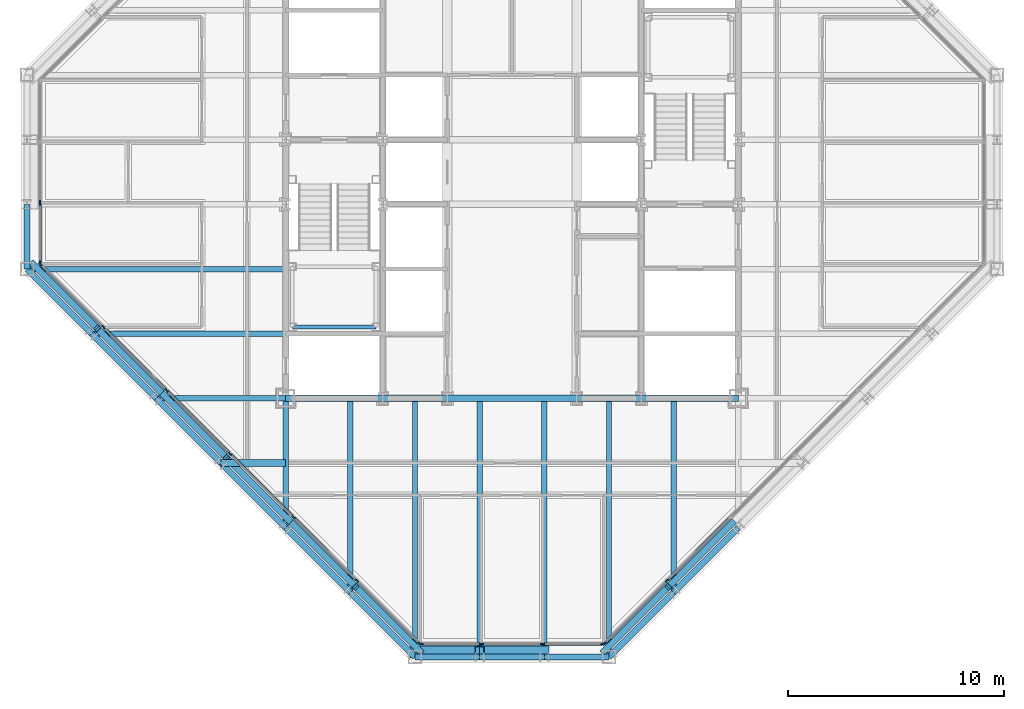
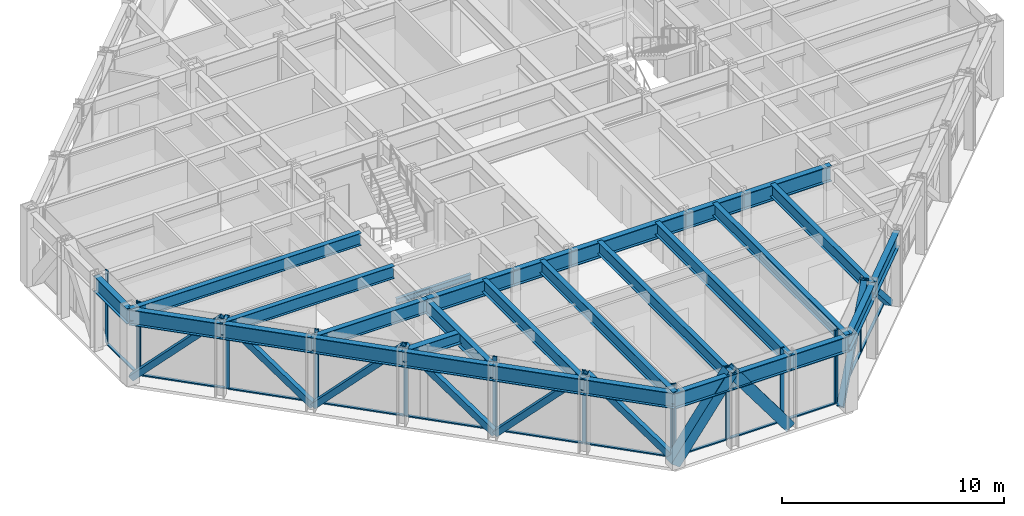
# One storey, part 5 of 15: 37 members, 29 beams, 4 elements without a shape of their own.
"""IFC4 building model written with IfcOpenShell, lengths in metres."""

from ifc_helpers import new_model, si_unit, direction, frame, origin, origin_2d, place, context, subcontext, project, spatial, rectangle, hollow_rectangle, i_section, extrude, material, layer, layer_set, material_profile, profile_set, type_object, element, aggregate, save


model = new_model("IFC4")

# Units and contexts
model_context = context("Model", 3, precision=1e-05, world=origin(), true_north=direction((0.0, 1.0)))
body_context = subcontext(model_context, "Body", "Model", "MODEL_VIEW")
ifc_project = project(units=[si_unit("LENGTHUNIT", "METRE"), si_unit("AREAUNIT", "SQUARE_METRE"), si_unit("VOLUMEUNIT", "CUBIC_METRE"), si_unit("PLANEANGLEUNIT", "RADIAN"), si_unit("MASSUNIT", "GRAM", prefix="KILO")], contexts=[model_context])

# Site, building, storey
site_placement = place(None, origin())
site = spatial("IfcSite", under=ifc_project, at=site_placement, CompositionType="ELEMENT")
building_placement = place(site_placement, origin())
building = spatial("IfcBuilding", under=site, at=building_placement, Name="Chuquiago Exchange Tower", CompositionType="ELEMENT")
storey_placement = place(building_placement, frame((0.0, 0.0, 262.199951171875)))
storey = spatial("IfcBuildingStorey", under=building, at=storey_placement, Name="L58", CompositionType="ELEMENT", Elevation=262.199951171875)

# Beams
ifc_material_1 = material(Name="Steel ASTM A992", Category="steel")
ifc_material_profile_1 = material_profile(ifc_material_1, i_section(OverallWidth=0.25390625, OverallDepth=0.683349609375, WebThickness=0.012451171875, FlangeThickness=0.018798828125, at=origin_2d()), Name="W27X94")
ifc_profile_set_1 = profile_set([ifc_material_profile_1], Name="Steel ASTM A992")
beam_type_1 = type_object("IfcBeamType", Name="B1 W27X94", PredefinedType="BEAM", material=ifc_profile_set_1)
beam_1_placement = place(storey_placement, frame((15.0, 12.0, 3.698486328125), z_axis=(0.0, -1.0, 0.0), x_axis=(1.0, 0.0, 0.0)))
element("IfcBeam", 1, at=beam_1_placement, inside=storey, type_object=beam_type_1, Name="FB-L59-infill-15_12-15_3-0", PredefinedType="BEAM", context=body_context, shape_type="SweptSolid", body=[
    extrude(i_section(OverallWidth=0.25390625, OverallDepth=0.683349609375, WebThickness=0.012451171875, FlangeThickness=0.018798828125, at=origin_2d()), origin(), (0.0, 0.0, 1.0), 9.0),
])
for number, where, z_axis, x_axis, name in (
    (2, (18.0, 12.0, 3.698486328125), (0.0, -1.0, 0.0), (1.0, 0.0, 0.0), "FB-L59-infill-18_12-18_-0-0"),
    (3, (21.0, 12.0, 3.698486328125), (0.0, -1.0, 0.0), (1.0, 0.0, 0.0), "FB-L59-infill-21_12-21_-0-0"),
    (4, (24.0, 12.0, 3.698486328125), (0.0, -1.0, 0.0), (1.0, 0.0, 0.0), "FB-L59-infill-24_12-24_-0-0"),
    (5, (27.0, 12.0, 3.698486328125), (0.0, -1.0, 0.0), (1.0, 0.0, 0.0), "FB-L59-infill-27_12-27_-0-0"),
):
    element("IfcBeam", number, at=place(storey_placement, frame(where, z_axis=z_axis, x_axis=x_axis)), inside=storey, type_object=beam_type_1, Name=name, PredefinedType="BEAM", context=body_context, shape_type="SweptSolid", body=[
        extrude(i_section(OverallWidth=0.25390625, OverallDepth=0.683349609375, WebThickness=0.012451171875, FlangeThickness=0.018798828125, at=origin_2d()), origin(), (0.0, 0.0, 1.0), 12.0),
    ])
for number, where, z_axis, x_axis, name in (
    (6, (30.0, 12.0, 3.698486328125), (0.0, -1.0, 0.0), (1.0, 0.0, 0.0), "FB-L59-infill-30_12-30_3-0"),
    (7, (12.0, 15.0, 3.698486328125), (-1.0, 0.0, 0.0), (0.0, -1.0, 0.0), "FB-L59-infill-12_15-3_15-0"),
):
    element("IfcBeam", number, at=place(storey_placement, frame(where, z_axis=z_axis, x_axis=x_axis)), inside=storey, type_object=beam_type_1, Name=name, PredefinedType="BEAM", context=body_context, shape_type="SweptSolid", body=[
        extrude(i_section(OverallWidth=0.25390625, OverallDepth=0.683349609375, WebThickness=0.012451171875, FlangeThickness=0.018798828125, at=origin_2d()), origin(), (0.0, 0.0, 1.0), 9.0),
    ])
beam_2_placement = place(storey_placement, frame((12.0, 18.0, 3.698486328125), z_axis=(-1.0, 0.0, 0.0), x_axis=(0.0, -1.0, 0.0)))
element("IfcBeam", 8, at=beam_2_placement, inside=storey, type_object=beam_type_1, Name="FB-L59-infill-12_18--0_18-0", PredefinedType="BEAM", context=body_context, shape_type="SweptSolid", body=[
    extrude(i_section(OverallWidth=0.25390625, OverallDepth=0.683349609375, WebThickness=0.012451171875, FlangeThickness=0.018798828125, at=origin_2d()), origin(), (0.0, 0.0, 1.0), 12.0),
])
ifc_material_2 = material(Name="Steel ASTM A992", Category="steel")
ifc_material_profile_2 = material_profile(ifc_material_2, i_section(OverallWidth=0.3251953125, OverallDepth=0.612060546875, WebThickness=0.0126953125, FlangeThickness=0.01904296875, at=origin_2d()), Name="W24X104")
ifc_profile_set_2 = profile_set([ifc_material_profile_2], Name="Steel ASTM A992")
beam_type_2 = type_object("IfcBeamType", Name="B2 W24X104", PredefinedType="BEAM", material=ifc_profile_set_2)
beam_3_placement = place(storey_placement, frame((12.0, 9.0, 3.73388671875), z_axis=(-1.0, 0.0, 0.0), x_axis=(0.0, -1.0, 0.0)))
element("IfcBeam", 9, at=beam_3_placement, inside=storey, type_object=beam_type_2, Name="FB-L59-corner-12_9-9_9-0", PredefinedType="BEAM", context=body_context, shape_type="SweptSolid", body=[
    extrude(i_section(OverallWidth=0.3251953125, OverallDepth=0.612060546875, WebThickness=0.0126953125, FlangeThickness=0.01904296875, at=origin_2d()), origin(), (0.0, 0.0, 1.0), 3.0),
])
ifc_material_3 = material(Name="Steel ASTM A992", Category="steel")
ifc_material_profile_3 = material_profile(ifc_material_3, i_section(OverallWidth=0.2919921875, OverallDepth=0.8583984375, WebThickness=0.01708984375, FlangeThickness=0.031005859375, at=origin_2d()), Name="W33X169")
ifc_profile_set_3 = profile_set([ifc_material_profile_3], Name="Steel ASTM A992")
beam_type_3 = type_object("IfcBeamType", Name="B3 W33X169", PredefinedType="BEAM", material=ifc_profile_set_3)
beam_4_placement = place(storey_placement, frame((12.0, 12.0, 3.61083984375), z_axis=(1.0, 0.0, 0.0), x_axis=(0.0, 1.0, 0.0)))
element("IfcBeam", 10, at=beam_4_placement, inside=storey, type_object=beam_type_3, Name="CB-L59-12_12-16.5_12", PredefinedType="BEAM", context=body_context, shape_type="SweptSolid", body=[
    extrude(i_section(OverallWidth=0.2919921875, OverallDepth=0.8583984375, WebThickness=0.01708984375, FlangeThickness=0.031005859375, at=origin_2d()), origin(), (0.0, 0.0, 1.0), 4.5),
])
beam_5_placement = place(storey_placement, frame((16.5, 12.0, 3.61083984375), z_axis=(1.0, 0.0, 0.0), x_axis=(0.0, 1.0, 0.0)))
element("IfcBeam", 11, at=beam_5_placement, inside=storey, type_object=beam_type_3, Name="CB-L59-16.5_12-19.5_12", PredefinedType="BEAM", context=body_context, shape_type="SweptSolid", body=[
    extrude(i_section(OverallWidth=0.2919921875, OverallDepth=0.8583984375, WebThickness=0.01708984375, FlangeThickness=0.031005859375, at=origin_2d()), origin(), (0.0, 0.0, 1.0), 3.0),
])
beam_6_placement = place(storey_placement, frame((19.5, 12.0, 3.61083984375), z_axis=(1.0, 0.0, 0.0), x_axis=(0.0, 1.0, 0.0)))
element("IfcBeam", 12, at=beam_6_placement, inside=storey, type_object=beam_type_3, Name="CB-L59-19.5_12-25.5_12", PredefinedType="BEAM", context=body_context, shape_type="SweptSolid", body=[
    extrude(i_section(OverallWidth=0.2919921875, OverallDepth=0.8583984375, WebThickness=0.01708984375, FlangeThickness=0.031005859375, at=origin_2d()), origin(), (0.0, 0.0, 1.0), 6.0),
])
beam_7_placement = place(storey_placement, frame((25.5, 12.0, 3.61083984375), z_axis=(1.0, 0.0, 0.0), x_axis=(0.0, 1.0, 0.0)))
element("IfcBeam", 13, at=beam_7_placement, inside=storey, type_object=beam_type_3, Name="CB-L59-25.5_12-28.5_12", PredefinedType="BEAM", context=body_context, shape_type="SweptSolid", body=[
    extrude(i_section(OverallWidth=0.2919921875, OverallDepth=0.8583984375, WebThickness=0.01708984375, FlangeThickness=0.031005859375, at=origin_2d()), origin(), (0.0, 0.0, 1.0), 3.0),
])
beam_8_placement = place(storey_placement, frame((28.5, 12.0, 3.61083984375), z_axis=(1.0, 0.0, 0.0), x_axis=(0.0, 1.0, 0.0)))
element("IfcBeam", 14, at=beam_8_placement, inside=storey, type_object=beam_type_3, Name="CB-L59-28.5_12-33_12", PredefinedType="BEAM", context=body_context, shape_type="SweptSolid", body=[
    extrude(i_section(OverallWidth=0.2919921875, OverallDepth=0.8583984375, WebThickness=0.01708984375, FlangeThickness=0.031005859375, at=origin_2d()), origin(), (0.0, 0.0, 1.0), 4.5),
])

# Curtain wall, members
ifc_material_4 = material(Name="Aluminium curtain wall system", Category="aluminium")
ifc_layer_1 = layer(ifc_material_4, 0.22509765625)
ifc_layer_set_1 = layer_set([ifc_layer_1], Name="CW2 office curtain wall")
curtain_wall_type_1 = type_object("IfcCurtainWallType", Name="CW2 office curtain wall", PredefinedType="NOTDEFINED", material=ifc_layer_set_1)
curtain_wall_1_placement = place(storey_placement, origin())
curtain_wall_1 = element("IfcCurtainWall", 15, at=curtain_wall_1_placement, inside=storey, type_object=curtain_wall_type_1, Name="CW2 curtain wall L58", PredefinedType="NOTDEFINED")
ifc_material_5 = material(Name="Aluminium mullion, pale anodised", Category="aluminium")
ifc_material_profile_4 = material_profile(ifc_material_5, rectangle(XDim=0.06494140625, YDim=0.22509765625, at=origin_2d()), Name="AL 65x225")
ifc_profile_set_4 = profile_set([ifc_material_profile_4], Name="Aluminium mullion, pale anodised")
member_type_1 = type_object("IfcMemberType", Name="CW2-M mullion 65x225", PredefinedType="MULLION", material=ifc_profile_set_4)
member_1_placement = place(storey_placement, frame((18.281005859375, 0.60009765625, 0.0), z_axis=(0.0, 0.0, 1.0), x_axis=(0.0, 1.0, 0.0)))
member_1 = element("IfcMember", 16, at=member_1_placement, type_object=member_type_1, Name="CW2 mullion 1", PredefinedType="MULLION", context=body_context, shape_type="SweptSolid", body=[
    extrude(rectangle(XDim=0.06494140625, YDim=0.22509765625, at=origin_2d()), origin(), (0.0, 0.0, 1.0), 4.0400390625),
])
member_2_placement = place(storey_placement, frame((21.082763671875, 0.60009765625, 0.0), z_axis=(0.0, 0.0, 1.0), x_axis=(0.0, 1.0, 0.0)))
member_2 = element("IfcMember", 17, at=member_2_placement, type_object=member_type_1, Name="CW2 mullion 2", PredefinedType="MULLION", context=body_context, shape_type="SweptSolid", body=[
    extrude(rectangle(XDim=0.06494140625, YDim=0.22509765625, at=origin_2d()), origin(), (0.0, 0.0, 1.0), 4.0400390625),
])
member_3_placement = place(storey_placement, frame((23.917236328125, 0.60009765625, 0.0), z_axis=(0.0, 0.0, 1.0), x_axis=(0.0, 1.0, 0.0)))
member_3 = element("IfcMember", 18, at=member_3_placement, type_object=member_type_1, Name="CW2 mullion 3", PredefinedType="MULLION", context=body_context, shape_type="SweptSolid", body=[
    extrude(rectangle(XDim=0.06494140625, YDim=0.22509765625, at=origin_2d()), origin(), (0.0, 0.0, 1.0), 4.0400390625),
])
member_4_placement = place(storey_placement, frame((26.718994140625, 0.60009765625, 0.0), z_axis=(0.0, 0.0, 1.0), x_axis=(0.0, 1.0, 0.0)))
member_4 = element("IfcMember", 19, at=member_4_placement, type_object=member_type_1, Name="CW2 mullion 4", PredefinedType="MULLION", context=body_context, shape_type="SweptSolid", body=[
    extrude(rectangle(XDim=0.06494140625, YDim=0.22509765625, at=origin_2d()), origin(), (0.0, 0.0, 1.0), 4.0400390625),
])

curtain_wall_2_placement = place(storey_placement, origin())
curtain_wall_2 = element("IfcCurtainWall", 20, at=curtain_wall_2_placement, inside=storey, type_object=curtain_wall_type_1, Name="CW2 curtain wall L58", PredefinedType="NOTDEFINED")
member_5_placement = place(storey_placement, frame((0.60009765625, 21.082763671875, 0.0), z_axis=(0.0, 0.0, 1.0), x_axis=(1.0, 0.0, 0.0)))
member_5 = element("IfcMember", 21, at=member_5_placement, type_object=member_type_1, Name="CW2 mullion 3", PredefinedType="MULLION", context=body_context, shape_type="SweptSolid", body=[
    extrude(rectangle(XDim=0.06494140625, YDim=0.22509765625, at=origin_2d()), origin(), (0.0, 0.0, 1.0), 4.0400390625),
])
member_6_placement = place(storey_placement, frame((0.60009765625, 18.281005859375, 0.0), z_axis=(0.0, 0.0, 1.0), x_axis=(1.0, 0.0, 0.0)))
member_6 = element("IfcMember", 22, at=member_6_placement, type_object=member_type_1, Name="CW2 mullion 4", PredefinedType="MULLION", context=body_context, shape_type="SweptSolid", body=[
    extrude(rectangle(XDim=0.06494140625, YDim=0.22509765625, at=origin_2d()), origin(), (0.0, 0.0, 1.0), 4.0400390625),
])

# Member
ifc_material_6 = material(Name="Aluminium transom, pale anodised", Category="aluminium")
ifc_material_profile_5 = material_profile(ifc_material_6, rectangle(XDim=0.139892578125, YDim=0.06494140625, at=origin_2d()), Name="AL 140x65")
ifc_profile_set_5 = profile_set([ifc_material_profile_5], Name="Aluminium transom, pale anodised")
member_type_2 = type_object("IfcMemberType", Name="CW2-T transom 65x140", PredefinedType="MULLION", material=ifc_profile_set_5)
member_7_placement = place(storey_placement, frame((18.3134765625, 0.60009765625, 0.032470703125), z_axis=(1.0, 0.0, 0.0), x_axis=(0.0, 1.0, 0.0)))
member_7 = element("IfcMember", 23, at=member_7_placement, type_object=member_type_2, Name="CW2 transom 1.1", PredefinedType="MULLION", context=body_context, shape_type="SweptSolid", body=[
    extrude(rectangle(XDim=0.139892578125, YDim=0.06494140625, at=origin_2d()), origin(), (0.0, 0.0, 1.0), 2.73681640625),
])

member_8_placement = place(storey_placement, frame((21.115234375, 0.60009765625, 0.032470703125), z_axis=(1.0, 0.0, 0.0), x_axis=(0.0, 1.0, 0.0)))
member_8 = element("IfcMember", 24, at=member_8_placement, type_object=member_type_2, Name="CW2 transom 2.1", PredefinedType="MULLION", context=body_context, shape_type="SweptSolid", body=[
    extrude(rectangle(XDim=0.139892578125, YDim=0.06494140625, at=origin_2d()), origin(), (0.0, 0.0, 1.0), 2.76953125),
])

member_9_placement = place(storey_placement, frame((23.94970703125, 0.60009765625, 0.032470703125), z_axis=(1.0, 0.0, 0.0), x_axis=(0.0, 1.0, 0.0)))
member_9 = element("IfcMember", 25, at=member_9_placement, type_object=member_type_2, Name="CW2 transom 3.1", PredefinedType="MULLION", context=body_context, shape_type="SweptSolid", body=[
    extrude(rectangle(XDim=0.139892578125, YDim=0.06494140625, at=origin_2d()), origin(), (0.0, 0.0, 1.0), 2.73681640625),
])

aggregate(curtain_wall_1, [member_1, member_2, member_3, member_4, member_7, member_8, member_9])

member_10_placement = place(storey_placement, frame((0.60009765625, 21.05029296875, 0.032470703125), z_axis=(0.0, -1.0, 0.0), x_axis=(1.0, 0.0, 0.0)))
member_10 = element("IfcMember", 26, at=member_10_placement, type_object=member_type_2, Name="CW2 transom 3.1", PredefinedType="MULLION", context=body_context, shape_type="SweptSolid", body=[
    extrude(rectangle(XDim=0.139892578125, YDim=0.06494140625, at=origin_2d()), origin(), (0.0, 0.0, 1.0), 2.73681640625),
])

aggregate(curtain_wall_2, [member_5, member_6, member_10])

# Curtain wall, members
ifc_material_7 = material(Name="Aluminium curtain wall system", Category="aluminium")
ifc_layer_2 = layer(ifc_material_7, 0.199951171875)
ifc_layer_set_2 = layer_set([ifc_layer_2], Name="CW3 facet curtain wall")
curtain_wall_type_2 = type_object("IfcCurtainWallType", Name="CW3 facet curtain wall", PredefinedType="NOTDEFINED", material=ifc_layer_set_2)
curtain_wall_3_placement = place(storey_placement, origin())
curtain_wall_3 = element("IfcCurtainWall", 27, at=curtain_wall_3_placement, inside=storey, type_object=curtain_wall_type_2, Name="CW3 curtain wall L58", PredefinedType="NOTDEFINED")
ifc_material_8 = material(Name="Aluminium mullion, pale anodised", Category="aluminium")
ifc_material_profile_6 = material_profile(ifc_material_8, rectangle(XDim=0.06494140625, YDim=0.199951171875, at=origin_2d()), Name="AL 65x200")
ifc_profile_set_6 = profile_set([ifc_material_profile_6], Name="Aluminium mullion, pale anodised")
member_type_3 = type_object("IfcMemberType", Name="CW3-M mullion 65x200", PredefinedType="MULLION", material=ifc_profile_set_6)
member_11_placement = place(storey_placement, frame((26.7744140625, 0.623046875, 0.0), z_axis=(0.0, 0.0, 1.0), x_axis=(-0.707106781187, 0.707106781187, 0.0)))
member_11 = element("IfcMember", 28, at=member_11_placement, type_object=member_type_3, Name="CW3 mullion 1", PredefinedType="MULLION", context=body_context, shape_type="SweptSolid", body=[
    extrude(rectangle(XDim=0.06494140625, YDim=0.199951171875, at=origin_2d()), origin(), (0.0, 0.0, 1.0), 4.0400390625),
])
member_12_placement = place(storey_placement, frame((29.69287109375, 3.54150390625, 0.0), z_axis=(0.0, 0.0, 1.0), x_axis=(-0.707106781187, 0.707106781187, 0.0)))
member_12 = element("IfcMember", 29, at=member_12_placement, type_object=member_type_3, Name="CW3 mullion 2", PredefinedType="MULLION", context=body_context, shape_type="SweptSolid", body=[
    extrude(rectangle(XDim=0.06494140625, YDim=0.199951171875, at=origin_2d()), origin(), (0.0, 0.0, 1.0), 4.0400390625),
])

curtain_wall_4_placement = place(storey_placement, origin())
curtain_wall_4 = element("IfcCurtainWall", 30, at=curtain_wall_4_placement, inside=storey, type_object=curtain_wall_type_2, Name="CW3 curtain wall L58", PredefinedType="NOTDEFINED")
member_13_placement = place(storey_placement, frame((0.623046875, 18.2255859375, 0.0), z_axis=(0.0, 0.0, 1.0), x_axis=(0.707106781187, 0.707106781187, 0.0)))
member_13 = element("IfcMember", 31, at=member_13_placement, type_object=member_type_3, Name="CW3 mullion 1", PredefinedType="MULLION", context=body_context, shape_type="SweptSolid", body=[
    extrude(rectangle(XDim=0.06494140625, YDim=0.199951171875, at=origin_2d()), origin(), (0.0, 0.0, 1.0), 4.0400390625),
])
member_14_placement = place(storey_placement, frame((3.54150390625, 15.30712890625, 0.0), z_axis=(0.0, 0.0, 1.0), x_axis=(0.707106781187, 0.707106781187, 0.0)))
member_14 = element("IfcMember", 32, at=member_14_placement, type_object=member_type_3, Name="CW3 mullion 2", PredefinedType="MULLION", context=body_context, shape_type="SweptSolid", body=[
    extrude(rectangle(XDim=0.06494140625, YDim=0.199951171875, at=origin_2d()), origin(), (0.0, 0.0, 1.0), 4.0400390625),
])
member_15_placement = place(storey_placement, frame((6.48291015625, 12.36572265625, 0.0), z_axis=(0.0, 0.0, 1.0), x_axis=(0.707106781187, 0.707106781187, 0.0)))
member_15 = element("IfcMember", 33, at=member_15_placement, type_object=member_type_3, Name="CW3 mullion 3", PredefinedType="MULLION", context=body_context, shape_type="SweptSolid", body=[
    extrude(rectangle(XDim=0.06494140625, YDim=0.199951171875, at=origin_2d()), origin(), (0.0, 0.0, 1.0), 4.0400390625),
])
member_16_placement = place(storey_placement, frame((9.42431640625, 9.42431640625, 0.0), z_axis=(0.0, 0.0, 1.0), x_axis=(0.707106781187, 0.707106781187, 0.0)))
member_16 = element("IfcMember", 34, at=member_16_placement, type_object=member_type_3, Name="CW3 mullion 4", PredefinedType="MULLION", context=body_context, shape_type="SweptSolid", body=[
    extrude(rectangle(XDim=0.06494140625, YDim=0.199951171875, at=origin_2d()), origin(), (0.0, 0.0, 1.0), 4.0400390625),
])
member_17_placement = place(storey_placement, frame((12.36572265625, 6.48291015625, 0.0), z_axis=(0.0, 0.0, 1.0), x_axis=(0.707106781187, 0.707106781187, 0.0)))
member_17 = element("IfcMember", 35, at=member_17_placement, type_object=member_type_3, Name="CW3 mullion 5", PredefinedType="MULLION", context=body_context, shape_type="SweptSolid", body=[
    extrude(rectangle(XDim=0.06494140625, YDim=0.199951171875, at=origin_2d()), origin(), (0.0, 0.0, 1.0), 4.0400390625),
])
member_18_placement = place(storey_placement, frame((15.30712890625, 3.54150390625, 0.0), z_axis=(0.0, 0.0, 1.0), x_axis=(0.707106781187, 0.707106781187, 0.0)))
member_18 = element("IfcMember", 36, at=member_18_placement, type_object=member_type_3, Name="CW3 mullion 6", PredefinedType="MULLION", context=body_context, shape_type="SweptSolid", body=[
    extrude(rectangle(XDim=0.06494140625, YDim=0.199951171875, at=origin_2d()), origin(), (0.0, 0.0, 1.0), 4.0400390625),
])
member_19_placement = place(storey_placement, frame((18.2255859375, 0.623046875, 0.0), z_axis=(0.0, 0.0, 1.0), x_axis=(0.707106781187, 0.707106781187, 0.0)))
member_19 = element("IfcMember", 37, at=member_19_placement, type_object=member_type_3, Name="CW3 mullion 7", PredefinedType="MULLION", context=body_context, shape_type="SweptSolid", body=[
    extrude(rectangle(XDim=0.06494140625, YDim=0.199951171875, at=origin_2d()), origin(), (0.0, 0.0, 1.0), 4.0400390625),
])

# Member
ifc_material_9 = material(Name="Aluminium transom, pale anodised", Category="aluminium")
ifc_material_profile_7 = material_profile(ifc_material_9, rectangle(XDim=0.139892578125, YDim=0.06494140625, at=origin_2d()), Name="AL 140x65")
ifc_profile_set_7 = profile_set([ifc_material_profile_7], Name="Aluminium transom, pale anodised")
member_type_4 = type_object("IfcMemberType", Name="CW3-T transom 65x140", PredefinedType="MULLION", material=ifc_profile_set_7)
member_20_placement = place(storey_placement, frame((26.79736328125, 0.64599609375, 0.032470703125), z_axis=(0.707106781187, 0.707106781187, 0.0), x_axis=(-0.707106781187, 0.707106781187, 0.0)))
member_20 = element("IfcMember", 38, at=member_20_placement, type_object=member_type_4, Name="CW3 transom 1.1", PredefinedType="MULLION", context=body_context, shape_type="SweptSolid", body=[
    extrude(rectangle(XDim=0.139892578125, YDim=0.06494140625, at=origin_2d()), origin(), (0.0, 0.0, 1.0), 4.0625),
])

member_21_placement = place(storey_placement, frame((29.7158203125, 3.564453125, 0.032470703125), z_axis=(0.707106781187, 0.707106781187, 0.0), x_axis=(-0.707106781187, 0.707106781187, 0.0)))
member_21 = element("IfcMember", 39, at=member_21_placement, type_object=member_type_4, Name="CW3 transom 2.1", PredefinedType="MULLION", context=body_context, shape_type="SweptSolid", body=[
    extrude(rectangle(XDim=0.139892578125, YDim=0.06494140625, at=origin_2d()), origin(), (0.0, 0.0, 1.0), 4.094970703125),
])

aggregate(curtain_wall_3, [member_11, member_12, member_20, member_21])

member_22_placement = place(storey_placement, frame((0.64599609375, 18.20263671875, 0.032470703125), z_axis=(0.707106781187, -0.707106781187, 0.0), x_axis=(0.707106781187, 0.707106781187, 0.0)))
member_22 = element("IfcMember", 40, at=member_22_placement, type_object=member_type_4, Name="CW3 transom 1.1", PredefinedType="MULLION", context=body_context, shape_type="SweptSolid", body=[
    extrude(rectangle(XDim=0.139892578125, YDim=0.06494140625, at=origin_2d()), origin(), (0.0, 0.0, 1.0), 4.0625),
])

member_23_placement = place(storey_placement, frame((3.564453125, 15.2841796875, 0.032470703125), z_axis=(0.707106781187, -0.707106781187, 0.0), x_axis=(0.707106781187, 0.707106781187, 0.0)))
member_23 = element("IfcMember", 41, at=member_23_placement, type_object=member_type_4, Name="CW3 transom 2.1", PredefinedType="MULLION", context=body_context, shape_type="SweptSolid", body=[
    extrude(rectangle(XDim=0.139892578125, YDim=0.06494140625, at=origin_2d()), origin(), (0.0, 0.0, 1.0), 4.094970703125),
])

member_24_placement = place(storey_placement, frame((6.505859375, 12.3427734375, 0.032470703125), z_axis=(0.707106781187, -0.707106781187, 0.0), x_axis=(0.707106781187, 0.707106781187, 0.0)))
member_24 = element("IfcMember", 42, at=member_24_placement, type_object=member_type_4, Name="CW3 transom 3.1", PredefinedType="MULLION", context=body_context, shape_type="SweptSolid", body=[
    extrude(rectangle(XDim=0.139892578125, YDim=0.06494140625, at=origin_2d()), origin(), (0.0, 0.0, 1.0), 4.094970703125),
])

member_25_placement = place(storey_placement, frame((9.447265625, 9.4013671875, 0.032470703125), z_axis=(0.707106781187, -0.707106781187, 0.0), x_axis=(0.707106781187, 0.707106781187, 0.0)))
member_25 = element("IfcMember", 43, at=member_25_placement, type_object=member_type_4, Name="CW3 transom 4.1", PredefinedType="MULLION", context=body_context, shape_type="SweptSolid", body=[
    extrude(rectangle(XDim=0.139892578125, YDim=0.06494140625, at=origin_2d()), origin(), (0.0, 0.0, 1.0), 4.094970703125),
])

member_26_placement = place(storey_placement, frame((12.388671875, 6.4599609375, 0.032470703125), z_axis=(0.707106781187, -0.707106781187, 0.0), x_axis=(0.707106781187, 0.707106781187, 0.0)))
member_26 = element("IfcMember", 44, at=member_26_placement, type_object=member_type_4, Name="CW3 transom 5.1", PredefinedType="MULLION", context=body_context, shape_type="SweptSolid", body=[
    extrude(rectangle(XDim=0.139892578125, YDim=0.06494140625, at=origin_2d()), origin(), (0.0, 0.0, 1.0), 4.094970703125),
])

member_27_placement = place(storey_placement, frame((15.330078125, 3.5185546875, 0.032470703125), z_axis=(0.707106781187, -0.707106781187, 0.0), x_axis=(0.707106781187, 0.707106781187, 0.0)))
member_27 = element("IfcMember", 45, at=member_27_placement, type_object=member_type_4, Name="CW3 transom 6.1", PredefinedType="MULLION", context=body_context, shape_type="SweptSolid", body=[
    extrude(rectangle(XDim=0.139892578125, YDim=0.06494140625, at=origin_2d()), origin(), (0.0, 0.0, 1.0), 4.0625),
])

aggregate(curtain_wall_4, [member_13, member_14, member_15, member_16, member_17, member_18, member_19, member_22, member_23, member_24, member_25, member_26, member_27])

# Beams
ifc_material_10 = material(Name="Steel ASTM A992", Category="steel")
ifc_material_profile_8 = material_profile(ifc_material_10, i_section(OverallWidth=0.2666015625, OverallDepth=0.76953125, WebThickness=0.015625, FlangeThickness=0.025390625, at=origin_2d()), Name="W30X132")
ifc_profile_set_8 = profile_set([ifc_material_profile_8], Name="Steel ASTM A992")
beam_type_4 = type_object("IfcBeamType", Name="G1 W30X132", PredefinedType="BEAM", material=ifc_profile_set_8)
for number, where, z_axis, x_axis, name in (
    (46, (12.0, 12.0, 3.6552734375), (0.0, -1.0, 0.0), (1.0, 0.0, 0.0), "FB-L59-girder-12_12-12_6-0"),
    (47, (12.0, 12.0, 3.6552734375), (-1.0, 0.0, 0.0), (0.0, -1.0, 0.0), "FB-L59-girder-12_12-6_12-0"),
):
    element("IfcBeam", number, at=place(storey_placement, frame(where, z_axis=z_axis, x_axis=x_axis)), inside=storey, type_object=beam_type_4, Name=name, PredefinedType="BEAM", context=body_context, shape_type="SweptSolid", body=[
        extrude(i_section(OverallWidth=0.2666015625, OverallDepth=0.76953125, WebThickness=0.015625, FlangeThickness=0.025390625, at=origin_2d()), origin(), (0.0, 0.0, 1.0), 6.0),
    ])

# Members
ifc_material_11 = material(Name="Steel ASTM A500 Grade C", Category="steel")
ifc_material_profile_9 = material_profile(ifc_material_11, hollow_rectangle(XDim=0.3046875, YDim=0.3046875, WallThickness=0.0146484375, at=origin_2d()), Name="HSS12X12X5/8")
ifc_profile_set_9 = profile_set([ifc_material_profile_9], Name="Steel ASTM A500 Grade C")
member_type_5 = type_object("IfcMemberType", Name="LB3 HSS12X12X5/8", PredefinedType="BRACE", material=ifc_profile_set_9)
for number, where, z_axis, x_axis, name in (
    (48, (26.750732421875, 0.249267578125, 0.0), (0.512077265487, 0.512077265487, 0.689604051861), (-0.707106781187, 0.707106781187, 0.0), "LB-L58-27_0-30_3"),
    (49, (32.750732421875, 6.249267578125, 0.0), (-0.512077265487, -0.512077265487, 0.689604051861), (0.707106781187, -0.707106781187, 0.0), "LB-L58-30_3-33_6"),
    (50, (0.249267578125, 18.249267578125, 0.0), (0.512077265487, -0.512077265487, 0.689604051861), (0.707106781187, 0.707106781187, 0.0), "LB-L58-0_18-3_15"),
    (51, (6.249267578125, 12.249267578125, 0.0), (-0.512077265487, 0.512077265487, 0.689604051861), (-0.707106781187, -0.707106781187, 0.0), "LB-L58-3_15-6_12"),
    (52, (6.249267578125, 12.249267578125, 0.0), (0.512077265487, -0.512077265487, 0.689604051861), (0.707106781187, 0.707106781187, 0.0), "LB-L58-6_12-9_9"),
    (53, (12.249267578125, 6.249267578125, 0.0), (-0.512077265487, 0.512077265487, 0.689604051861), (-0.707106781187, -0.707106781187, 0.0), "LB-L58-9_9-12_6"),
    (54, (12.249267578125, 6.249267578125, 0.0), (0.512077265487, -0.512077265487, 0.689604051861), (0.707106781187, 0.707106781187, 0.0), "LB-L58-12_6-15_3"),
    (55, (18.249267578125, 0.249267578125, 0.0), (-0.512077265487, 0.512077265487, 0.689604051861), (-0.707106781187, -0.707106781187, 0.0), "LB-L58-15_3-18_0"),
):
    element("IfcMember", number, at=place(storey_placement, frame(where, z_axis=z_axis, x_axis=x_axis)), inside=storey, type_object=member_type_5, Name=name, PredefinedType="BRACE", context=body_context, shape_type="SweptSolid", body=[
        extrude(hollow_rectangle(XDim=0.3046875, YDim=0.3046875, WallThickness=0.0146484375, at=origin_2d()), origin(), (0.0, 0.0, 1.0), 5.8583984375),
    ])

# Beam
ifc_material_12 = material(Name="Steel ASTM A992", Category="steel")
ifc_material_profile_10 = material_profile(ifc_material_12, i_section(OverallWidth=0.164794921875, OverallDepth=0.309814453125, WebThickness=0.005859375, FlangeThickness=0.009765625, at=origin_2d()), Name="W12X26")
ifc_profile_set_10 = profile_set([ifc_material_profile_10], Name="Steel ASTM A992")
beam_type_5 = type_object("IfcBeamType", Name="LT1 W12X26", PredefinedType="BEAM", material=ifc_profile_set_10)
beam_9_placement = place(storey_placement, frame((12.31005859375, 15.31005859375, 1.7451171875), z_axis=(1.0, 0.0, 0.0), x_axis=(0.0, 1.0, 0.0)))
element("IfcBeam", 56, at=beam_9_placement, inside=storey, type_object=beam_type_5, Name="Stair ST1 L58 landing 1 trimmer", PredefinedType="BEAM", context=body_context, shape_type="SweptSolid", body=[
    extrude(i_section(OverallWidth=0.164794921875, OverallDepth=0.309814453125, WebThickness=0.005859375, FlangeThickness=0.009765625, at=origin_2d()), origin(), (0.0, 0.0, 1.0), 3.8798828125),
])

# Members
ifc_material_13 = material(Name="Steel ASTM A572 Grade 50", Category="steel")
ifc_material_profile_11 = material_profile(ifc_material_13, hollow_rectangle(XDim=0.550048828125, YDim=0.550048828125, WallThickness=0.044921875, at=origin_2d()), Name="BOX550X550X45")
ifc_profile_set_11 = profile_set([ifc_material_profile_11], Name="Steel ASTM A572 Grade 50")
member_type_6 = type_object("IfcMemberType", Name="MB4 BOX550X550X45", PredefinedType="BRACE", material=ifc_profile_set_11)
for number, where, z_axis, x_axis, name in (
    (57, (18.0, 0.22998046875, 0.0), (0.596173923302, 0.0, 0.802855312728), (0.0, 1.0, 0.0), "Mega diagonal L58 S face"),
    (58, (24.0, 0.22998046875, 0.0), (-0.596173923302, 0.0, 0.802855312728), (0.0, -1.0, 0.0), "Mega diagonal L58 S face"),
):
    element("IfcMember", number, at=place(storey_placement, frame(where, z_axis=z_axis, x_axis=x_axis)), inside=storey, type_object=member_type_6, Name=name, PredefinedType="BRACE", context=body_context, shape_type="SweptSolid", body=[
        extrude(hollow_rectangle(XDim=0.550048828125, YDim=0.550048828125, WallThickness=0.044921875, at=origin_2d()), origin(), (0.0, 0.0, 1.0), 5.031982421875),
    ])

# Beams
ifc_material_14 = material(Name="Steel ASTM A992", Category="steel")
ifc_material_profile_12 = material_profile(ifc_material_14, i_section(OverallWidth=0.2919921875, OverallDepth=0.8583984375, WebThickness=0.01708984375, FlangeThickness=0.031005859375, at=origin_2d()), Name="W33X169")
ifc_profile_set_12 = profile_set([ifc_material_profile_12], Name="Steel ASTM A992")
beam_type_6 = type_object("IfcBeamType", Name="SP4 W33X169", PredefinedType="SPANDREL", material=ifc_profile_set_12)
for number, where, z_axis, x_axis, name in (
    (59, (18.0, 0.0, 3.61083984375), (1.0, 0.0, 0.0), (0.0, 1.0, 0.0), "SPB-L59-18_0-21_0"),
    (60, (21.0, 0.0, 3.61083984375), (1.0, 0.0, 0.0), (0.0, 1.0, 0.0), "SPB-L59-21_0-24_0"),
    (61, (24.0, 0.0, 3.61083984375), (1.0, 0.0, 0.0), (0.0, 1.0, 0.0), "SPB-L59-24_0-27_0"),
):
    element("IfcBeam", number, at=place(storey_placement, frame(where, z_axis=z_axis, x_axis=x_axis)), inside=storey, type_object=beam_type_6, Name=name, PredefinedType="SPANDREL", context=body_context, shape_type="SweptSolid", body=[
        extrude(i_section(OverallWidth=0.2919921875, OverallDepth=0.8583984375, WebThickness=0.01708984375, FlangeThickness=0.031005859375, at=origin_2d()), origin(), (0.0, 0.0, 1.0), 3.0),
    ])
for number, where, z_axis, x_axis, name in (
    (62, (27.0, 0.0, 3.61083984375), (0.707106781187, 0.707106781187, 0.0), (-0.707106781187, 0.707106781187, 0.0), "SPB-L59-27_0-30_3"),
    (63, (30.0, 3.0, 3.61083984375), (0.707106781187, 0.707106781187, 0.0), (-0.707106781187, 0.707106781187, 0.0), "SPB-L59-30_3-33_6"),
):
    element("IfcBeam", number, at=place(storey_placement, frame(where, z_axis=z_axis, x_axis=x_axis)), inside=storey, type_object=beam_type_6, Name=name, PredefinedType="SPANDREL", context=body_context, shape_type="SweptSolid", body=[
        extrude(i_section(OverallWidth=0.2919921875, OverallDepth=0.8583984375, WebThickness=0.01708984375, FlangeThickness=0.031005859375, at=origin_2d()), origin(), (0.0, 0.0, 1.0), 4.24267578125),
    ])
beam_10_placement = place(storey_placement, frame((0.0, 21.0, 3.61083984375), z_axis=(0.0, -1.0, 0.0), x_axis=(1.0, 0.0, 0.0)))
element("IfcBeam", 64, at=beam_10_placement, inside=storey, type_object=beam_type_6, Name="SPB-L59-0_21-0_18", PredefinedType="SPANDREL", context=body_context, shape_type="SweptSolid", body=[
    extrude(i_section(OverallWidth=0.2919921875, OverallDepth=0.8583984375, WebThickness=0.01708984375, FlangeThickness=0.031005859375, at=origin_2d()), origin(), (0.0, 0.0, 1.0), 3.0),
])
for number, where, z_axis, x_axis, name in (
    (65, (0.0, 18.0, 3.61083984375), (0.707106781187, -0.707106781187, 0.0), (0.707106781187, 0.707106781187, 0.0), "SPB-L59-0_18-3_15"),
    (66, (3.0, 15.0, 3.61083984375), (0.707106781187, -0.707106781187, 0.0), (0.707106781187, 0.707106781187, 0.0), "SPB-L59-3_15-6_12"),
    (67, (6.0, 12.0, 3.61083984375), (0.707106781187, -0.707106781187, 0.0), (0.707106781187, 0.707106781187, 0.0), "SPB-L59-6_12-9_9"),
    (68, (9.0, 9.0, 3.61083984375), (0.707106781187, -0.707106781187, 0.0), (0.707106781187, 0.707106781187, 0.0), "SPB-L59-9_9-12_6"),
    (69, (12.0, 6.0, 3.61083984375), (0.707106781187, -0.707106781187, 0.0), (0.707106781187, 0.707106781187, 0.0), "SPB-L59-12_6-15_3"),
    (70, (15.0, 3.0, 3.61083984375), (0.707106781187, -0.707106781187, 0.0), (0.707106781187, 0.707106781187, 0.0), "SPB-L59-15_3-18_0"),
):
    element("IfcBeam", number, at=place(storey_placement, frame(where, z_axis=z_axis, x_axis=x_axis)), inside=storey, type_object=beam_type_6, Name=name, PredefinedType="SPANDREL", context=body_context, shape_type="SweptSolid", body=[
        extrude(i_section(OverallWidth=0.2919921875, OverallDepth=0.8583984375, WebThickness=0.01708984375, FlangeThickness=0.031005859375, at=origin_2d()), origin(), (0.0, 0.0, 1.0), 4.24267578125),
    ])

save(model, "model.ifc")
